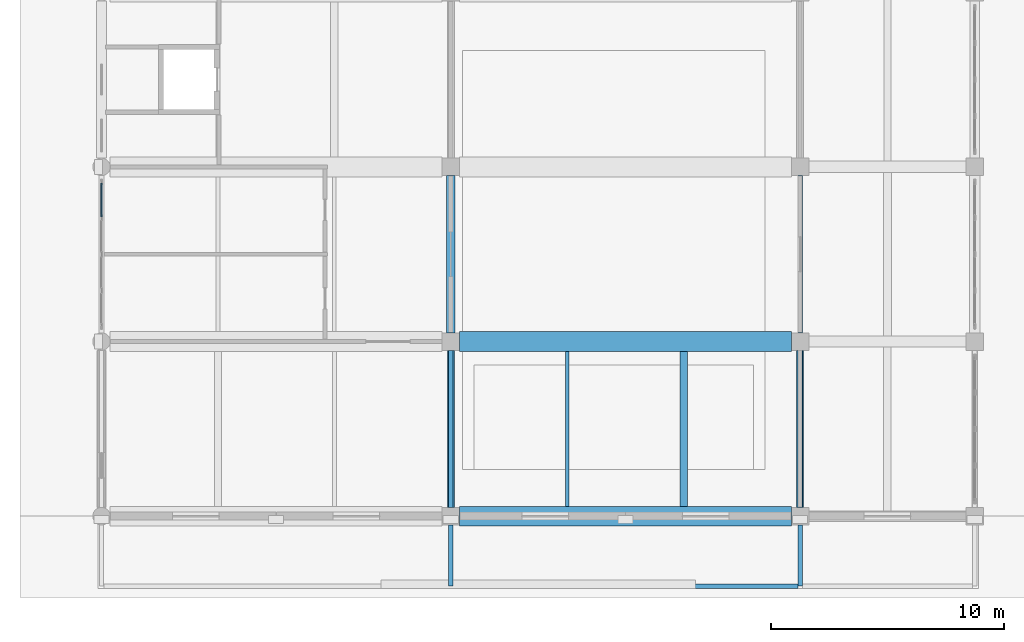
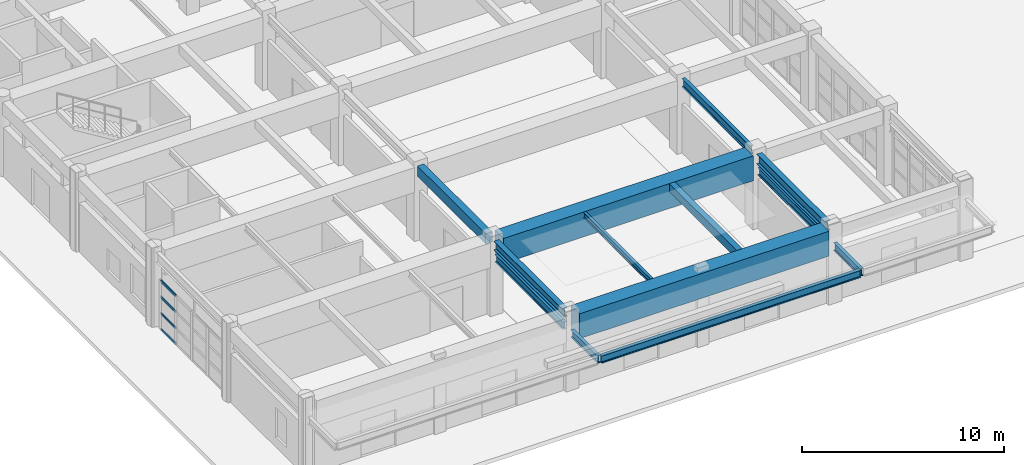
# One storey, part 5 of 122: 13 beams, 4 members, 1 element without a shape of its own.
"""IFC4 building model written with IfcOpenShell, lengths in metres."""

import ifcopenshell
import ifcopenshell.guid

model = None  # the IFC model being written
_history = None  # IfcOwnerHistory: only IFC2X3 demands one
_inside = {}  # id of a spatial element -> (the spatial element, [elements in it])
_under = {}  # id of a project, library or spatial element -> (it, [spatial elements below it])
_declared = {}  # id of a project -> (the project, [libraries it declares])
_typed = {}  # id of a type object -> (the type object, [elements of that type])
_made_of = {}  # id of a material, layer set ... -> (it, [elements and type objects made of it])


def new_model(schema):
    """Start an empty IFC model of exactly this schema.

    Asked for "IFC4X3", IfcOpenShell would pick the latest addendum, in which some entities
    have other attributes; the version numbers below select the first issue.
    IFC2X3 requires an IfcOwnerHistory on every rooted entity: one is made here for all.
    """
    global model, _history
    if schema == "IFC4X3":
        model = ifcopenshell.file(schema_version=(4, 3, 0, 0))
    else:
        model = ifcopenshell.file(schema=schema)
    _inside.clear()
    _under.clear()
    _declared.clear()
    _typed.clear()
    _made_of.clear()
    _history = None
    if model.schema == "IFC2X3":
        org = make("IfcOrganization", Name="unknown")
        user = make(
            "IfcPersonAndOrganization",
            ThePerson=make("IfcPerson", FamilyName="unknown"),
            TheOrganization=org,
        )
        app = make(
            "IfcApplication",
            ApplicationDeveloper=org,
            Version="unknown",
            ApplicationFullName="unknown",
            ApplicationIdentifier="unknown",
        )
        _history = make(
            "IfcOwnerHistory",
            OwningUser=user,
            OwningApplication=app,
            ChangeAction="ADDED",
            CreationDate=0,
        )
    return model


def make(cls, **values):
    """One entity of the class cls with the attributes given. An attribute that is None is left unset."""
    return model.create_entity(
        cls, **{name: value for name, value in values.items() if value is not None}
    )


def rooted(cls, **values):
    """An entity with a GlobalId (a new one), such as an element, a storey or a relation."""
    return make(cls, GlobalId=ifcopenshell.guid.new(), OwnerHistory=_history, **values)


def si_unit(unit_type, name, prefix=None):
    """IfcSIUnit, for example si_unit("LENGTHUNIT", "METRE", prefix="MILLI")."""
    return make("IfcSIUnit", UnitType=unit_type, Prefix=prefix, Name=name)


def assignment(units):
    """IfcUnitAssignment: the units of a project."""
    return None if units is None else make("IfcUnitAssignment", Units=units)


def point(xyz):
    """IfcCartesianPoint."""
    return None if xyz is None else make("IfcCartesianPoint", Coordinates=xyz)


def direction(xyz):
    """IfcDirection."""
    return None if xyz is None else make("IfcDirection", DirectionRatios=xyz)


def frame(location, z_axis=None, x_axis=None):
    """IfcAxis2Placement3D, a coordinate frame: its origin and axes. An axis left out is left unset."""
    return make(
        "IfcAxis2Placement3D",
        Location=point(location),
        Axis=direction(z_axis),
        RefDirection=direction(x_axis),
    )


def frame_2d(location, x_axis=None):
    """IfcAxis2Placement2D, a coordinate frame in the plane: its origin and x axis."""
    return make(
        "IfcAxis2Placement2D", Location=point(location), RefDirection=direction(x_axis)
    )


def origin():
    """The frame at (0, 0, 0) with its axes left unset."""
    return frame((0.0, 0.0, 0.0))


def origin_2d():
    """The frame at (0, 0) in the plane with its x axis left unset."""
    return frame_2d((0.0, 0.0))


def place(relative_to, where):
    """IfcLocalPlacement: puts the frame where relative to a parent placement (None: the world)."""
    return make(
        "IfcLocalPlacement", PlacementRelTo=relative_to, RelativePlacement=where
    )


def context(
    kind, dimensions, precision=None, world=None, true_north=None, identifier=None
):
    """IfcGeometricRepresentationContext, for example the 3D "Model" context."""
    return make(
        "IfcGeometricRepresentationContext",
        ContextIdentifier=identifier,
        ContextType=kind,
        CoordinateSpaceDimension=dimensions,
        Precision=precision,
        WorldCoordinateSystem=world,
        TrueNorth=true_north,
    )


def subcontext(parent, identifier, kind, view, scale=None):
    """IfcGeometricRepresentationSubContext, for example "Body" below "Model"."""
    return make(
        "IfcGeometricRepresentationSubContext",
        ContextIdentifier=identifier,
        ContextType=kind,
        ParentContext=parent,
        TargetScale=scale,
        TargetView=view,
    )


def project(units=None, contexts=None):
    """IfcProject with its units and contexts."""
    return rooted(
        "IfcProject",
        Name="project",
        RepresentationContexts=contexts,
        UnitsInContext=assignment(units),
    )


def spatial(cls, under=None, at=None, **own):
    """A site, building, storey or space (cls), placed at a placement, below another one or the project."""
    s = rooted(cls, ObjectPlacement=at, **own)
    if under is not None:
        _under.setdefault(under.id(), (under, []))[1].append(s)
    return s


def profile(cls, at=None, kind="AREA", **sizes):
    """A parametric profile (cls). Its sizes go by their IFC names, for example OverallWidth=200.0."""
    return make(cls, ProfileType=kind, Position=at, **sizes)


def rectangle(**sizes):
    """IfcRectangleProfileDef."""
    return profile("IfcRectangleProfileDef", **sizes)


def hollow_rectangle(**sizes):
    """IfcRectangleHollowProfileDef."""
    return profile("IfcRectangleHollowProfileDef", **sizes)


def i_section(**sizes):
    """IfcIShapeProfileDef."""
    return profile("IfcIShapeProfileDef", **sizes)


def extrude(swept, where, along, depth):
    """IfcExtrudedAreaSolid: the profile swept, set in the frame where, extruded along a direction by depth."""
    return make(
        "IfcExtrudedAreaSolid",
        SweptArea=swept,
        Position=where,
        ExtrudedDirection=direction(along),
        Depth=depth,
    )


def shape(context_of_items, identifier, shape_type, items):
    """IfcShapeRepresentation: the items that make up one representation, for example the "Body"."""
    return make(
        "IfcShapeRepresentation",
        ContextOfItems=context_of_items,
        RepresentationIdentifier=identifier,
        RepresentationType=shape_type,
        Items=items,
    )


def material(Name=None, Category=None):
    """IfcMaterial."""
    return make("IfcMaterial", Name=Name, Category=Category)


def material_profile(
    of_material, cross_section, Name=None, Category=None, Priority=None
):
    """IfcMaterialProfile: a cross section and its material."""
    return make(
        "IfcMaterialProfile",
        Name=Name,
        Material=of_material,
        Profile=cross_section,
        Priority=Priority,
        Category=Category,
    )


def profile_set(profiles, Name=None, composite=None):
    """IfcMaterialProfileSet."""
    return make(
        "IfcMaterialProfileSet",
        Name=Name,
        MaterialProfiles=profiles,
        CompositeProfile=composite,
    )


def made_of(thing, what):
    """Note that an element or type object is made of a material, layer set ...; save() writes the relation."""
    if what is not None:
        _made_of.setdefault(what.id(), (what, []))[1].append(thing)
    return thing


def type_object(cls, material=None, **own):
    """A type object (cls), such as IfcWallType, which elements share."""
    return made_of(rooted(cls, **own), material)


def element(
    cls,
    number,
    at=None,
    inside=None,
    cuts=None,
    type_object=None,
    material=None,
    context=None,
    identifier="Body",
    shape_type=None,
    held_by="IfcProductDefinitionShape",
    body=None,
    shapes=None,
    **own,
):
    """One element of the class cls, such as IfcWall. Its Tag is "e" and its number.

    at: its placement. inside: the storey or other place that contains it. cuts: it is an
    opening in that element (IfcRelVoidsElement). A single representation is given by context,
    identifier, shape_type and body (its items); several are given by shapes. held_by: the class
    of the entity that holds the representations. save() writes the other relations.
    """
    e = rooted(cls, Tag="e%d" % number, ObjectPlacement=at, **own)
    if body is not None:
        shapes = [shape(context, identifier, shape_type, body)]
    if shapes is not None:
        e.Representation = make(held_by, Representations=shapes)
    if inside is not None:
        _inside.setdefault(inside.id(), (inside, []))[1].append(e)
    if cuts is not None:
        rooted(
            "IfcRelVoidsElement", RelatingBuildingElement=cuts, RelatedOpeningElement=e
        )
    if type_object is not None:
        _typed.setdefault(type_object.id(), (type_object, []))[1].append(e)
    return made_of(e, material)


def aggregate(whole, parts):
    """IfcRelAggregates: a whole, such as a stair, and the parts it consists of."""
    return rooted("IfcRelAggregates", RelatingObject=whole, RelatedObjects=parts)


def save(model, path):
    """Write the relations noted so far, then the file.

    IfcRelAggregates (storeys below a building ...), IfcRelContainedInSpatialStructure (elements
    in a storey), IfcRelDefinesByType, IfcRelAssociatesMaterial and IfcRelDeclares: one each for
    every whole, place, type object, material and project.
    """
    for whole, parts in _under.values():
        aggregate(whole, parts)
    for where, things in _inside.values():
        rooted(
            "IfcRelContainedInSpatialStructure",
            RelatedElements=things,
            RelatingStructure=where,
        )
    for kind, things in _typed.values():
        rooted("IfcRelDefinesByType", RelatedObjects=things, RelatingType=kind)
    for what, things in _made_of.values():
        rooted("IfcRelAssociatesMaterial", RelatedObjects=things, RelatingMaterial=what)
    for by, libraries in _declared.values():
        rooted("IfcRelDeclares", RelatingContext=by, RelatedDefinitions=libraries)
    model.write(path)


model = new_model("IFC4")

# Units and contexts
model_context = context("Model", 3, precision=1e-05, world=origin(), true_north=direction((0.0, 1.0)))
body_context = subcontext(model_context, "Body", "Model", "MODEL_VIEW")
ifc_project = project(units=[si_unit("LENGTHUNIT", "METRE"), si_unit("AREAUNIT", "SQUARE_METRE"), si_unit("VOLUMEUNIT", "CUBIC_METRE"), si_unit("PLANEANGLEUNIT", "RADIAN"), si_unit("MASSUNIT", "GRAM", prefix="KILO")], contexts=[model_context])

# Site, building, storey
site_placement = place(None, origin())
site = spatial("IfcSite", under=ifc_project, at=site_placement, CompositionType="ELEMENT")
building_placement = place(site_placement, origin())
building = spatial("IfcBuilding", under=site, at=building_placement, Name="Qasida Concert Hall", CompositionType="ELEMENT")
storey_placement = place(building_placement, origin())
storey = spatial("IfcBuildingStorey", under=building, at=storey_placement, Name="L00", CompositionType="ELEMENT", Elevation=0.0)

# Beams
ifc_material_1 = material(Name="Concrete C40/50", Category="concrete")
ifc_material_profile_1 = material_profile(ifc_material_1, rectangle(XDim=0.3798828125, YDim=0.6201171875, at=origin_2d()), Name="RC 380x620")
ifc_profile_set_1 = profile_set([ifc_material_profile_1], Name="Concrete C40/50")
beam_type_1 = type_object("IfcBeamType", Name="BM-B10", PredefinedType="BEAM", material=ifc_profile_set_1)
beam_1_placement = place(storey_placement, frame((15.0, 7.875, 4.18994140625), z_axis=(0.0, 1.0, 0.0), x_axis=(-1.0, 0.0, 0.0)))
element("IfcBeam", 1, at=beam_1_placement, inside=storey, type_object=beam_type_1, Name="L00 girder 0540", PredefinedType="BEAM", context=body_context, shape_type="SweptSolid", body=[
    extrude(rectangle(XDim=0.3798828125, YDim=0.6201171875, at=origin_2d()), origin(), (0.0, 0.0, 1.0), 6.75),
])
ifc_material_2 = material(Name="Steel S355J2", Category="steel")
ifc_material_profile_2 = material_profile(ifc_material_2, i_section(OverallWidth=0.300048828125, OverallDepth=0.550048828125, WebThickness=0.014892578125, FlangeThickness=0.029052734375, FilletRadius=0.027099609375, at=origin_2d()), Name="HEB 550")
ifc_profile_set_2 = profile_set([ifc_material_profile_2], Name="Steel S355J2")
beam_type_2 = type_object("IfcBeamType", Name="BM-B12", PredefinedType="BEAM", material=ifc_profile_set_2)
beam_2_placement = place(storey_placement, frame((15.0, 0.375, 4.22509765625), z_axis=(0.0, 1.0, 0.0), x_axis=(-1.0, 0.0, 0.0)))
element("IfcBeam", 2, at=beam_2_placement, inside=storey, type_object=beam_type_2, Name="L00 girder 0539", PredefinedType="BEAM", context=body_context, shape_type="SweptSolid", body=[
    extrude(i_section(OverallWidth=0.300048828125, OverallDepth=0.550048828125, WebThickness=0.014892578125, FlangeThickness=0.029052734375, FilletRadius=0.027099609375, at=origin_2d()), origin(), (0.0, 0.0, 1.0), 6.75),
])
ifc_material_profile_3 = material_profile(ifc_material_2, i_section(OverallWidth=0.199951171875, OverallDepth=0.5, WebThickness=0.01025390625, FlangeThickness=0.01611328125, FilletRadius=0.02099609375, at=origin_2d()), Name="IPE 500")
ifc_profile_set_3 = profile_set([ifc_material_profile_3], Name="Steel S355J2")
beam_type_3 = type_object("IfcBeamType", Name="BM-B4", PredefinedType="BEAM", material=ifc_profile_set_3)
beam_3_placement = place(storey_placement, frame((30.0, 7.875, 4.25), z_axis=(0.0, 1.0, 0.0), x_axis=(-1.0, 0.0, 0.0)))
element("IfcBeam", 3, at=beam_3_placement, inside=storey, type_object=beam_type_3, Name="L00 girder 0547", PredefinedType="BEAM", context=body_context, shape_type="SweptSolid", body=[
    extrude(i_section(OverallWidth=0.199951171875, OverallDepth=0.5, WebThickness=0.01025390625, FlangeThickness=0.01611328125, FilletRadius=0.02099609375, at=origin_2d()), origin(), (0.0, 0.0, 1.0), 6.75),
])
ifc_material_profile_4 = material_profile(ifc_material_2, i_section(OverallWidth=0.18994140625, OverallDepth=0.449951171875, WebThickness=0.009521484375, FlangeThickness=0.0146484375, FilletRadius=0.02099609375, at=origin_2d()), Name="IPE 450")
ifc_profile_set_4 = profile_set([ifc_material_profile_4], Name="Steel S355J2")
beam_type_4 = type_object("IfcBeamType", Name="BM-B5", PredefinedType="BEAM", material=ifc_profile_set_4)
beam_4_placement = place(storey_placement, frame((15.0, -0.375, 3.449951171875), z_axis=(0.0, -1.0, 0.0), x_axis=(1.0, 0.0, 0.0)))
element("IfcBeam", 4, at=beam_4_placement, inside=storey, type_object=beam_type_4, Name="Grand foyer marquee outrigger beam MRQ-V3-150", PredefinedType="BEAM", context=body_context, shape_type="SweptSolid", body=[
    extrude(i_section(OverallWidth=0.18994140625, OverallDepth=0.449951171875, WebThickness=0.009521484375, FlangeThickness=0.0146484375, FilletRadius=0.02099609375, at=origin_2d()), origin(), (0.0, 0.0, 1.0), 2.625),
])
beam_5_placement = place(storey_placement, frame((15.0, 0.375, 3.449951171875), z_axis=(0.0, 1.0, 0.0), x_axis=(-1.0, 0.0, 0.0)))
element("IfcBeam", 5, at=beam_5_placement, inside=storey, type_object=beam_type_4, Name="Grand foyer marquee backspan beam MRQB-V3-150", PredefinedType="BEAM", context=body_context, shape_type="SweptSolid", body=[
    extrude(i_section(OverallWidth=0.18994140625, OverallDepth=0.449951171875, WebThickness=0.009521484375, FlangeThickness=0.0146484375, FilletRadius=0.02099609375, at=origin_2d()), origin(), (0.0, 0.0, 1.0), 6.75),
])
beam_6_placement = place(storey_placement, frame((30.0, -0.375, 3.449951171875), z_axis=(0.0, -1.0, 0.0), x_axis=(1.0, 0.0, 0.0)))
element("IfcBeam", 6, at=beam_6_placement, inside=storey, type_object=beam_type_4, Name="Grand foyer marquee outrigger beam MRQ-V3-300", PredefinedType="BEAM", context=body_context, shape_type="SweptSolid", body=[
    extrude(i_section(OverallWidth=0.18994140625, OverallDepth=0.449951171875, WebThickness=0.009521484375, FlangeThickness=0.0146484375, FilletRadius=0.02099609375, at=origin_2d()), origin(), (0.0, 0.0, 1.0), 2.625),
])
beam_7_placement = place(storey_placement, frame((30.0, 0.375, 3.449951171875), z_axis=(0.0, 1.0, 0.0), x_axis=(-1.0, 0.0, 0.0)))
element("IfcBeam", 7, at=beam_7_placement, inside=storey, type_object=beam_type_4, Name="Grand foyer marquee backspan beam MRQB-V3-300", PredefinedType="BEAM", context=body_context, shape_type="SweptSolid", body=[
    extrude(i_section(OverallWidth=0.18994140625, OverallDepth=0.449951171875, WebThickness=0.009521484375, FlangeThickness=0.0146484375, FilletRadius=0.02099609375, at=origin_2d()), origin(), (0.0, 0.0, 1.0), 6.75),
])
beam_8_placement = place(storey_placement, frame((15.10009765625, -3.0, 3.449951171875), z_axis=(1.0, 0.0, 0.0), x_axis=(0.0, 1.0, 0.0)))
element("IfcBeam", 8, at=beam_8_placement, inside=storey, type_object=beam_type_4, Name="Grand foyer marquee fascia beam MRQF-V3-2", PredefinedType="BEAM", context=body_context, shape_type="SweptSolid", body=[
    extrude(i_section(OverallWidth=0.18994140625, OverallDepth=0.449951171875, WebThickness=0.009521484375, FlangeThickness=0.0146484375, FilletRadius=0.02099609375, at=origin_2d()), origin(), (0.0, 0.0, 1.0), 14.7998046875),
])
ifc_material_profile_5 = material_profile(ifc_material_2, i_section(OverallWidth=0.300048828125, OverallDepth=0.60009765625, WebThickness=0.015380859375, FlangeThickness=0.030029296875, FilletRadius=0.027099609375, at=origin_2d()), Name="HEB 600")
ifc_profile_set_5 = profile_set([ifc_material_profile_5], Name="Steel S355J2")
beam_type_5 = type_object("IfcBeamType", Name="BM-B6", PredefinedType="BEAM", material=ifc_profile_set_5)
beam_9_placement = place(storey_placement, frame((30.0, 0.375, 4.199951171875), z_axis=(0.0, 1.0, 0.0), x_axis=(-1.0, 0.0, 0.0)))
element("IfcBeam", 9, at=beam_9_placement, inside=storey, type_object=beam_type_5, Name="L00 girder 0546", PredefinedType="BEAM", context=body_context, shape_type="SweptSolid", body=[
    extrude(i_section(OverallWidth=0.300048828125, OverallDepth=0.60009765625, WebThickness=0.015380859375, FlangeThickness=0.030029296875, FilletRadius=0.027099609375, at=origin_2d()), origin(), (0.0, 0.0, 1.0), 6.75),
])
ifc_material_profile_6 = material_profile(ifc_material_2, i_section(OverallWidth=0.159912109375, OverallDepth=0.330078125, WebThickness=0.007568359375, FlangeThickness=0.011474609375, FilletRadius=0.01806640625, at=origin_2d()), Name="IPE 330")
ifc_profile_set_6 = profile_set([ifc_material_profile_6], Name="Steel S355J2")
beam_type_6 = type_object("IfcBeamType", Name="BM-J5", PredefinedType="JOIST", material=ifc_profile_set_6)
beam_10_placement = place(storey_placement, frame((20.0, 0.425048828125, 4.3349609375), z_axis=(0.0, 1.0, 0.0), x_axis=(-1.0, 0.0, 0.0)))
element("IfcBeam", 10, at=beam_10_placement, inside=storey, type_object=beam_type_6, Name="L00 secondary joist 0572", PredefinedType="JOIST", context=body_context, shape_type="SweptSolid", body=[
    extrude(i_section(OverallWidth=0.159912109375, OverallDepth=0.330078125, WebThickness=0.007568359375, FlangeThickness=0.011474609375, FilletRadius=0.01806640625, at=origin_2d()), origin(), (0.0, 0.0, 1.0), 6.64990234375),
])
ifc_material_profile_7 = material_profile(ifc_material_1, rectangle(XDim=0.320068359375, YDim=0.5, at=origin_2d()), Name="RC 320x500")
ifc_profile_set_7 = profile_set([ifc_material_profile_7], Name="Concrete C40/50")
beam_type_7 = type_object("IfcBeamType", Name="BM-J7", PredefinedType="JOIST", material=ifc_profile_set_7)
beam_11_placement = place(storey_placement, frame((25.0, 0.425048828125, 4.25), z_axis=(0.0, 1.0, 0.0), x_axis=(-1.0, 0.0, 0.0)))
element("IfcBeam", 11, at=beam_11_placement, inside=storey, type_object=beam_type_7, Name="L00 secondary joist 0573", PredefinedType="JOIST", context=body_context, shape_type="SweptSolid", body=[
    extrude(rectangle(XDim=0.320068359375, YDim=0.5, at=origin_2d()), origin(), (0.0, 0.0, 1.0), 6.64990234375),
])
ifc_material_3 = material(Name="Concrete C50/60", Category="concrete")
ifc_material_profile_8 = material_profile(ifc_material_3, rectangle(XDim=0.85009765625, YDim=1.5, at=origin_2d()), Name="RC 850x1500")
ifc_profile_set_8 = profile_set([ifc_material_profile_8], Name="Concrete C50/60")
beam_type_8 = type_object("IfcBeamType", Name="BM-TG2", PredefinedType="USERDEFINED", material=ifc_profile_set_8)
for number, where, z_axis, x_axis, name in (
    (12, (15.375, 0.0, 3.75), (1.0, 0.0, 0.0), (0.0, 1.0, 0.0), "Transfer girder TG-0509"),
    (13, (15.375, 7.5, 3.75), (1.0, 0.0, 0.0), (0.0, 1.0, 0.0), "Transfer girder TG-0512"),
):
    element("IfcBeam", number, at=place(storey_placement, frame(where, z_axis=z_axis, x_axis=x_axis)), inside=storey, type_object=beam_type_8, Name=name, ObjectType="GIRDER", PredefinedType="USERDEFINED", context=body_context, shape_type="SweptSolid", body=[
        extrude(rectangle(XDim=0.85009765625, YDim=1.5, at=origin_2d()), origin(), (0.0, 0.0, 1.0), 14.25),
    ])

# Curtain wall, members
ifc_material_4 = material(Name="Architectural bronze-anodized aluminium and low-E glass", Category="aluminium")
curtain_wall_type = type_object("IfcCurtainWallType", Name="CW-06", PredefinedType="NOTDEFINED", material=ifc_material_4)
curtain_wall_placement = place(storey_placement, origin())
curtain_wall = element("IfcCurtainWall", 14, at=curtain_wall_placement, inside=storey, type_object=curtain_wall_type, Name="L00 curtain wall CW-06 0074", PredefinedType="NOTDEFINED")
ifc_material_5 = material(Name="Architectural bronze-anodized aluminium EN AW-6063", Category="aluminium")
ifc_material_profile_9 = material_profile(ifc_material_5, hollow_rectangle(XDim=0.06494140625, YDim=0.14990234375, WallThickness=0.00390625, InnerFilletRadius=0.00390625, OuterFilletRadius=0.008056640625, at=origin_2d()), Name="CWT 150x65x4")
ifc_profile_set_9 = profile_set([ifc_material_profile_9], Name="Architectural bronze-anodized aluminium EN AW-6063")
member_type = type_object("IfcMemberType", Name="MB-CWT-1", PredefinedType="USERDEFINED", material=ifc_profile_set_9)
member_1_placement = place(storey_placement, frame((0.0, 12.85009765625, 0.032470703125), z_axis=(0.0, 1.0, 0.0), x_axis=(-1.0, 0.0, 0.0)))
member_1 = element("IfcMember", 15, at=member_1_placement, type_object=member_type, Name="CW-06 transom 4.1", ObjectType="TRANSOM", PredefinedType="USERDEFINED", context=body_context, shape_type="SweptSolid", body=[
    extrude(hollow_rectangle(XDim=0.06494140625, YDim=0.14990234375, WallThickness=0.00390625, InnerFilletRadius=0.00390625, OuterFilletRadius=0.008056640625, at=origin_2d()), origin(), (0.0, 0.0, 1.0), 1.4599609375),
])
member_2_placement = place(storey_placement, frame((0.0, 12.85009765625, 0.989990234375), z_axis=(0.0, 1.0, 0.0), x_axis=(-1.0, 0.0, 0.0)))
member_2 = element("IfcMember", 16, at=member_2_placement, type_object=member_type, Name="CW-06 transom 4.2", ObjectType="TRANSOM", PredefinedType="USERDEFINED", context=body_context, shape_type="SweptSolid", body=[
    extrude(hollow_rectangle(XDim=0.06494140625, YDim=0.14990234375, WallThickness=0.00390625, InnerFilletRadius=0.00390625, OuterFilletRadius=0.008056640625, at=origin_2d()), origin(), (0.0, 0.0, 1.0), 1.4599609375),
])
member_3_placement = place(storey_placement, frame((0.0, 12.85009765625, 1.97998046875), z_axis=(0.0, 1.0, 0.0), x_axis=(-1.0, 0.0, 0.0)))
member_3 = element("IfcMember", 17, at=member_3_placement, type_object=member_type, Name="CW-06 transom 4.3", ObjectType="TRANSOM", PredefinedType="USERDEFINED", context=body_context, shape_type="SweptSolid", body=[
    extrude(hollow_rectangle(XDim=0.06494140625, YDim=0.14990234375, WallThickness=0.00390625, InnerFilletRadius=0.00390625, OuterFilletRadius=0.008056640625, at=origin_2d()), origin(), (0.0, 0.0, 1.0), 1.4599609375),
])
member_4_placement = place(storey_placement, frame((0.0, 12.85009765625, 2.9375), z_axis=(0.0, 1.0, 0.0), x_axis=(-1.0, 0.0, 0.0)))
member_4 = element("IfcMember", 18, at=member_4_placement, type_object=member_type, Name="CW-06 transom 4.4", ObjectType="TRANSOM", PredefinedType="USERDEFINED", context=body_context, shape_type="SweptSolid", body=[
    extrude(hollow_rectangle(XDim=0.06494140625, YDim=0.14990234375, WallThickness=0.00390625, InnerFilletRadius=0.00390625, OuterFilletRadius=0.008056640625, at=origin_2d()), origin(), (0.0, 0.0, 1.0), 1.4599609375),
])
aggregate(curtain_wall, [member_1, member_2, member_3, member_4])

save(model, "model.ifc")
